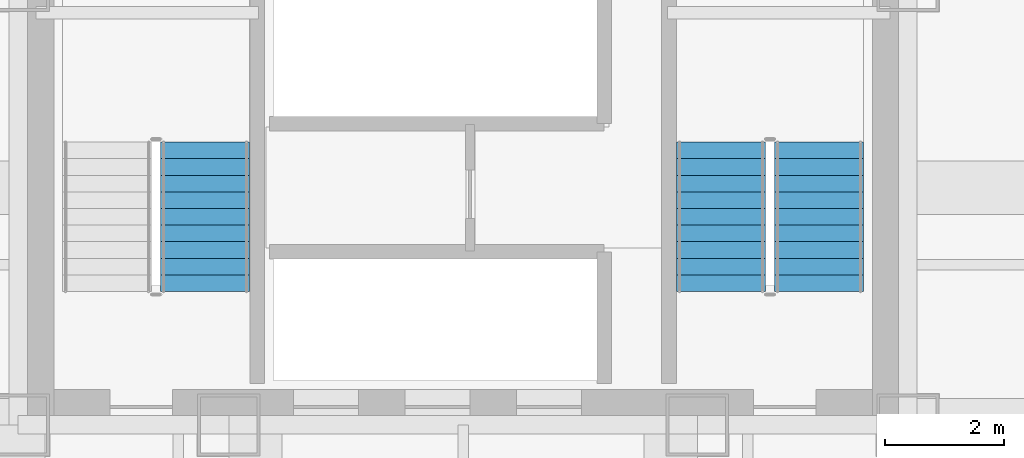
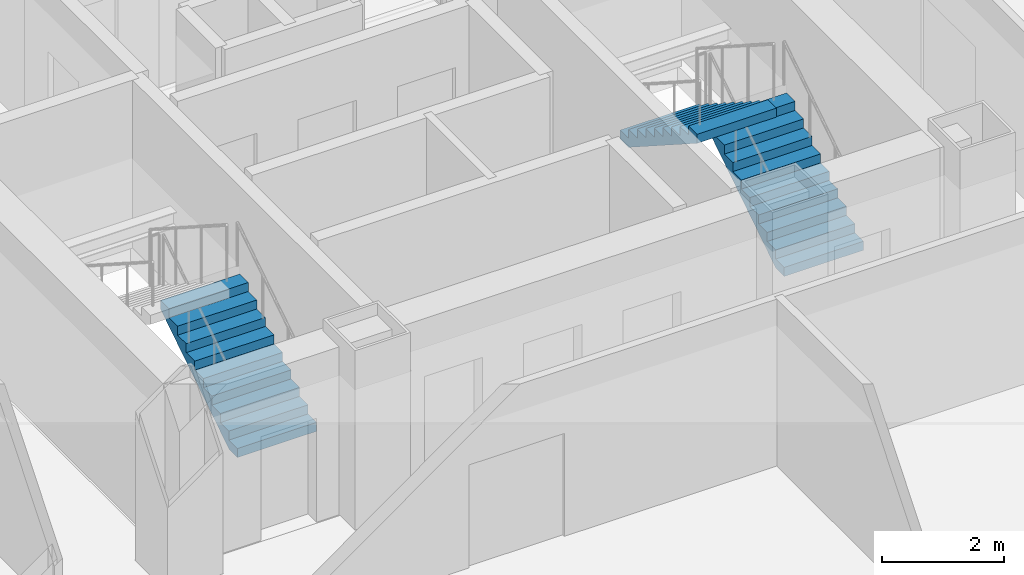
# One storey, part 14 of 17: 3 stair flights, 2 elements without a shape of their own.
"""IFC4 building model written with IfcOpenShell, lengths in metres."""

import ifcopenshell
import ifcopenshell.guid

model = None  # the IFC model being written
_history = None  # IfcOwnerHistory: only IFC2X3 demands one
_inside = {}  # id of a spatial element -> (the spatial element, [elements in it])
_under = {}  # id of a project, library or spatial element -> (it, [spatial elements below it])
_declared = {}  # id of a project -> (the project, [libraries it declares])
_typed = {}  # id of a type object -> (the type object, [elements of that type])
_made_of = {}  # id of a material, layer set ... -> (it, [elements and type objects made of it])


def new_model(schema):
    """Start an empty IFC model of exactly this schema.

    Asked for "IFC4X3", IfcOpenShell would pick the latest addendum, in which some entities
    have other attributes; the version numbers below select the first issue.
    IFC2X3 requires an IfcOwnerHistory on every rooted entity: one is made here for all.
    """
    global model, _history
    if schema == "IFC4X3":
        model = ifcopenshell.file(schema_version=(4, 3, 0, 0))
    else:
        model = ifcopenshell.file(schema=schema)
    _inside.clear()
    _under.clear()
    _declared.clear()
    _typed.clear()
    _made_of.clear()
    _history = None
    if model.schema == "IFC2X3":
        org = make("IfcOrganization", Name="unknown")
        user = make(
            "IfcPersonAndOrganization",
            ThePerson=make("IfcPerson", FamilyName="unknown"),
            TheOrganization=org,
        )
        app = make(
            "IfcApplication",
            ApplicationDeveloper=org,
            Version="unknown",
            ApplicationFullName="unknown",
            ApplicationIdentifier="unknown",
        )
        _history = make(
            "IfcOwnerHistory",
            OwningUser=user,
            OwningApplication=app,
            ChangeAction="ADDED",
            CreationDate=0,
        )
    return model


def make(cls, **values):
    """One entity of the class cls with the attributes given. An attribute that is None is left unset."""
    return model.create_entity(
        cls, **{name: value for name, value in values.items() if value is not None}
    )


def rooted(cls, **values):
    """An entity with a GlobalId (a new one), such as an element, a storey or a relation."""
    return make(cls, GlobalId=ifcopenshell.guid.new(), OwnerHistory=_history, **values)


def si_unit(unit_type, name, prefix=None):
    """IfcSIUnit, for example si_unit("LENGTHUNIT", "METRE", prefix="MILLI")."""
    return make("IfcSIUnit", UnitType=unit_type, Prefix=prefix, Name=name)


def assignment(units):
    """IfcUnitAssignment: the units of a project."""
    return None if units is None else make("IfcUnitAssignment", Units=units)


def point(xyz):
    """IfcCartesianPoint."""
    return None if xyz is None else make("IfcCartesianPoint", Coordinates=xyz)


def direction(xyz):
    """IfcDirection."""
    return None if xyz is None else make("IfcDirection", DirectionRatios=xyz)


def frame(location, z_axis=None, x_axis=None):
    """IfcAxis2Placement3D, a coordinate frame: its origin and axes. An axis left out is left unset."""
    return make(
        "IfcAxis2Placement3D",
        Location=point(location),
        Axis=direction(z_axis),
        RefDirection=direction(x_axis),
    )


def origin():
    """The frame at (0, 0, 0) with its axes left unset."""
    return frame((0.0, 0.0, 0.0))


def place(relative_to, where):
    """IfcLocalPlacement: puts the frame where relative to a parent placement (None: the world)."""
    return make(
        "IfcLocalPlacement", PlacementRelTo=relative_to, RelativePlacement=where
    )


def context(
    kind, dimensions, precision=None, world=None, true_north=None, identifier=None
):
    """IfcGeometricRepresentationContext, for example the 3D "Model" context."""
    return make(
        "IfcGeometricRepresentationContext",
        ContextIdentifier=identifier,
        ContextType=kind,
        CoordinateSpaceDimension=dimensions,
        Precision=precision,
        WorldCoordinateSystem=world,
        TrueNorth=true_north,
    )


def subcontext(parent, identifier, kind, view, scale=None):
    """IfcGeometricRepresentationSubContext, for example "Body" below "Model"."""
    return make(
        "IfcGeometricRepresentationSubContext",
        ContextIdentifier=identifier,
        ContextType=kind,
        ParentContext=parent,
        TargetScale=scale,
        TargetView=view,
    )


def project(units=None, contexts=None):
    """IfcProject with its units and contexts."""
    return rooted(
        "IfcProject",
        Name="project",
        RepresentationContexts=contexts,
        UnitsInContext=assignment(units),
    )


def spatial(cls, under=None, at=None, **own):
    """A site, building, storey or space (cls), placed at a placement, below another one or the project."""
    s = rooted(cls, ObjectPlacement=at, **own)
    if under is not None:
        _under.setdefault(under.id(), (under, []))[1].append(s)
    return s


def polyline(points):
    """IfcPolyline through the points."""
    return make("IfcPolyline", Points=[point(p) for p in points])


def outline(outer, holes=None, kind="AREA"):
    """IfcArbitraryClosedProfileDef: a profile drawn as a closed curve; with holes, ...WithVoids."""
    if holes is None:
        return make("IfcArbitraryClosedProfileDef", ProfileType=kind, OuterCurve=outer)
    return make(
        "IfcArbitraryProfileDefWithVoids",
        ProfileType=kind,
        OuterCurve=outer,
        InnerCurves=holes,
    )


def extrude(swept, where, along, depth):
    """IfcExtrudedAreaSolid: the profile swept, set in the frame where, extruded along a direction by depth."""
    return make(
        "IfcExtrudedAreaSolid",
        SweptArea=swept,
        Position=where,
        ExtrudedDirection=direction(along),
        Depth=depth,
    )


def shape(context_of_items, identifier, shape_type, items):
    """IfcShapeRepresentation: the items that make up one representation, for example the "Body"."""
    return make(
        "IfcShapeRepresentation",
        ContextOfItems=context_of_items,
        RepresentationIdentifier=identifier,
        RepresentationType=shape_type,
        Items=items,
    )


def material(Name=None, Category=None):
    """IfcMaterial."""
    return make("IfcMaterial", Name=Name, Category=Category)


def made_of(thing, what):
    """Note that an element or type object is made of a material, layer set ...; save() writes the relation."""
    if what is not None:
        _made_of.setdefault(what.id(), (what, []))[1].append(thing)
    return thing


def type_object(cls, material=None, **own):
    """A type object (cls), such as IfcWallType, which elements share."""
    return made_of(rooted(cls, **own), material)


def element(
    cls,
    number,
    at=None,
    inside=None,
    cuts=None,
    type_object=None,
    material=None,
    context=None,
    identifier="Body",
    shape_type=None,
    held_by="IfcProductDefinitionShape",
    body=None,
    shapes=None,
    **own,
):
    """One element of the class cls, such as IfcWall. Its Tag is "e" and its number.

    at: its placement. inside: the storey or other place that contains it. cuts: it is an
    opening in that element (IfcRelVoidsElement). A single representation is given by context,
    identifier, shape_type and body (its items); several are given by shapes. held_by: the class
    of the entity that holds the representations. save() writes the other relations.
    """
    e = rooted(cls, Tag="e%d" % number, ObjectPlacement=at, **own)
    if body is not None:
        shapes = [shape(context, identifier, shape_type, body)]
    if shapes is not None:
        e.Representation = make(held_by, Representations=shapes)
    if inside is not None:
        _inside.setdefault(inside.id(), (inside, []))[1].append(e)
    if cuts is not None:
        rooted(
            "IfcRelVoidsElement", RelatingBuildingElement=cuts, RelatedOpeningElement=e
        )
    if type_object is not None:
        _typed.setdefault(type_object.id(), (type_object, []))[1].append(e)
    return made_of(e, material)


def aggregate(whole, parts):
    """IfcRelAggregates: a whole, such as a stair, and the parts it consists of."""
    return rooted("IfcRelAggregates", RelatingObject=whole, RelatedObjects=parts)


def save(model, path):
    """Write the relations noted so far, then the file.

    IfcRelAggregates (storeys below a building ...), IfcRelContainedInSpatialStructure (elements
    in a storey), IfcRelDefinesByType, IfcRelAssociatesMaterial and IfcRelDeclares: one each for
    every whole, place, type object, material and project.
    """
    for whole, parts in _under.values():
        aggregate(whole, parts)
    for where, things in _inside.values():
        rooted(
            "IfcRelContainedInSpatialStructure",
            RelatedElements=things,
            RelatingStructure=where,
        )
    for kind, things in _typed.values():
        rooted("IfcRelDefinesByType", RelatedObjects=things, RelatingType=kind)
    for what, things in _made_of.values():
        rooted("IfcRelAssociatesMaterial", RelatedObjects=things, RelatingMaterial=what)
    for by, libraries in _declared.values():
        rooted("IfcRelDeclares", RelatingContext=by, RelatedDefinitions=libraries)
    model.write(path)


model = new_model("IFC4")

# Units and contexts
model_context = context("Model", 3, precision=1e-05, world=origin(), true_north=direction((0.0, 1.0)))
body_context = subcontext(model_context, "Body", "Model", "MODEL_VIEW")
ifc_project = project(units=[si_unit("LENGTHUNIT", "METRE"), si_unit("AREAUNIT", "SQUARE_METRE"), si_unit("VOLUMEUNIT", "CUBIC_METRE"), si_unit("PLANEANGLEUNIT", "RADIAN"), si_unit("MASSUNIT", "GRAM", prefix="KILO")], contexts=[model_context])

# Site, building, storey
site_placement = place(None, origin())
site = spatial("IfcSite", under=ifc_project, at=site_placement, CompositionType="ELEMENT")
building_placement = place(site_placement, origin())
building = spatial("IfcBuilding", under=site, at=building_placement, Name="Trevonay Congress Spire", CompositionType="ELEMENT")
storey_placement = place(building_placement, frame((0.0, 0.0, 94.0)))
storey = spatial("IfcBuildingStorey", under=building, at=storey_placement, Name="L23", CompositionType="ELEMENT", Elevation=94.0)

# Stair, stair flight
ifc_material = material(Name="Concrete C40/50", Category="concrete")
stair_type_1 = type_object("IfcStairType", Name="STR-ST-1", PredefinedType="HALF_TURN_STAIR", material=ifc_material)
stair_1_placement = place(storey_placement, origin())
stair_1 = element("IfcStair", 1, at=stair_1_placement, inside=storey, type_object=stair_type_1, Name="L23 Protected Exit Stair ST-1", PredefinedType="HALF_TURN_STAIR")
stair_flight_type_1 = type_object("IfcStairFlightType", Name="SFL-ST-1", PredefinedType="STRAIGHT", material=ifc_material)
stair_flight_1_placement = place(storey_placement, frame((-4.35009765625, -5.25, 0.0), z_axis=(0.0, 0.0, 1.0), x_axis=(0.0, 1.0, 0.0)))
stair_flight_1 = element("IfcStairFlight", 2, at=stair_flight_1_placement, type_object=stair_flight_type_1, Name="ST-1 flight 1", NumberOfRisers=10, NumberOfTreads=9, PredefinedType="STRAIGHT", RiserHeight=0.18, TreadLength=0.28, context=body_context, shape_type="SweptSolid", body=[
    extrude(outline(polyline([(0.0, 0.0), (0.0, 0.179931640625), (0.280029296875, 0.179931640625), (0.280029296875, 0.360107421875), (0.56005859375, 0.360107421875), (0.56005859375, 0.5400390625), (0.840087890625, 0.5400390625), (0.840087890625, 0.719970703125), (1.1201171875, 0.719970703125), (1.1201171875, 0.89990234375), (1.39990234375, 0.89990234375), (1.39990234375, 1.080078125), (1.679931640625, 1.080078125), (1.679931640625, 1.260009765625), (1.9599609375, 1.260009765625), (1.9599609375, 1.43994140625), (2.239990234375, 1.43994140625), (2.239990234375, 1.6201171875), (2.52001953125, 1.6201171875), (2.52001953125, 1.800048828125), (2.52001953125, 1.44189453125), (0.277099609375, 0.0), (0.0, 0.0)])), frame((0.0, 0.75, 0.0), z_axis=(0.0, -1.0, 0.0), x_axis=(1.0, 0.0, 0.0)), (0.0, 0.0, 1.0), 1.5),
])
aggregate(stair_1, [stair_flight_1])

# Stair, stair flights
stair_type_2 = type_object("IfcStairType", Name="STR-ST-2", PredefinedType="HALF_TURN_STAIR", material=ifc_material)
stair_2_placement = place(storey_placement, origin())
stair_2 = element("IfcStair", 3, at=stair_2_placement, inside=storey, type_object=stair_type_2, Name="L23 Protected Exit Stair ST-2", PredefinedType="HALF_TURN_STAIR")
stair_flight_type_2 = type_object("IfcStairFlightType", Name="SFL-ST-2", PredefinedType="STRAIGHT", material=ifc_material)
stair_flight_2_placement = place(storey_placement, frame((6.0, -5.25, 0.0), z_axis=(0.0, 0.0, 1.0), x_axis=(0.0, 1.0, 0.0)))
stair_flight_2 = element("IfcStairFlight", 4, at=stair_flight_2_placement, type_object=stair_flight_type_2, Name="ST-2 flight 1", NumberOfRisers=10, NumberOfTreads=9, PredefinedType="STRAIGHT", RiserHeight=0.18, TreadLength=0.28, context=body_context, shape_type="SweptSolid", body=[
    extrude(outline(polyline([(0.0, 0.0), (0.0, 0.179931640625), (0.280029296875, 0.179931640625), (0.280029296875, 0.360107421875), (0.56005859375, 0.360107421875), (0.56005859375, 0.5400390625), (0.840087890625, 0.5400390625), (0.840087890625, 0.719970703125), (1.1201171875, 0.719970703125), (1.1201171875, 0.89990234375), (1.39990234375, 0.89990234375), (1.39990234375, 1.080078125), (1.679931640625, 1.080078125), (1.679931640625, 1.260009765625), (1.9599609375, 1.260009765625), (1.9599609375, 1.43994140625), (2.239990234375, 1.43994140625), (2.239990234375, 1.6201171875), (2.52001953125, 1.6201171875), (2.52001953125, 1.800048828125), (2.52001953125, 1.44189453125), (0.277099609375, 0.0), (0.0, 0.0)])), frame((0.0, 0.75, 0.0), z_axis=(0.0, -1.0, 0.0), x_axis=(1.0, 0.0, 0.0)), (0.0, 0.0, 1.0), 1.5),
])
stair_flight_3_placement = place(storey_placement, frame((4.35009765625, -2.72998046875, 1.800048828125), z_axis=(0.0, 0.0, 1.0), x_axis=(0.0, -1.0, 0.0)))
stair_flight_3 = element("IfcStairFlight", 5, at=stair_flight_3_placement, type_object=stair_flight_type_2, Name="ST-2 flight 2", NumberOfRisers=10, NumberOfTreads=9, PredefinedType="STRAIGHT", RiserHeight=0.18, TreadLength=0.28, context=body_context, shape_type="SweptSolid", body=[
    extrude(outline(polyline([(0.0, 0.0), (0.0, 0.179931640625), (0.280029296875, 0.179931640625), (0.280029296875, 0.360107421875), (0.56005859375, 0.360107421875), (0.56005859375, 0.5400390625), (0.840087890625, 0.5400390625), (0.840087890625, 0.719970703125), (1.1201171875, 0.719970703125), (1.1201171875, 0.89990234375), (1.39990234375, 0.89990234375), (1.39990234375, 1.080078125), (1.679931640625, 1.080078125), (1.679931640625, 1.260009765625), (1.9599609375, 1.260009765625), (1.9599609375, 1.43994140625), (2.239990234375, 1.43994140625), (2.239990234375, 1.6201171875), (2.52001953125, 1.6201171875), (2.52001953125, 1.800048828125), (2.52001953125, 1.44189453125), (0.277099609375, 0.0), (0.0, 0.0)])), frame((0.0, 0.75, 0.0), z_axis=(0.0, -1.0, 0.0), x_axis=(1.0, 0.0, 0.0)), (0.0, 0.0, 1.0), 1.5),
])
aggregate(stair_2, [stair_flight_2, stair_flight_3])

save(model, "model.ifc")
